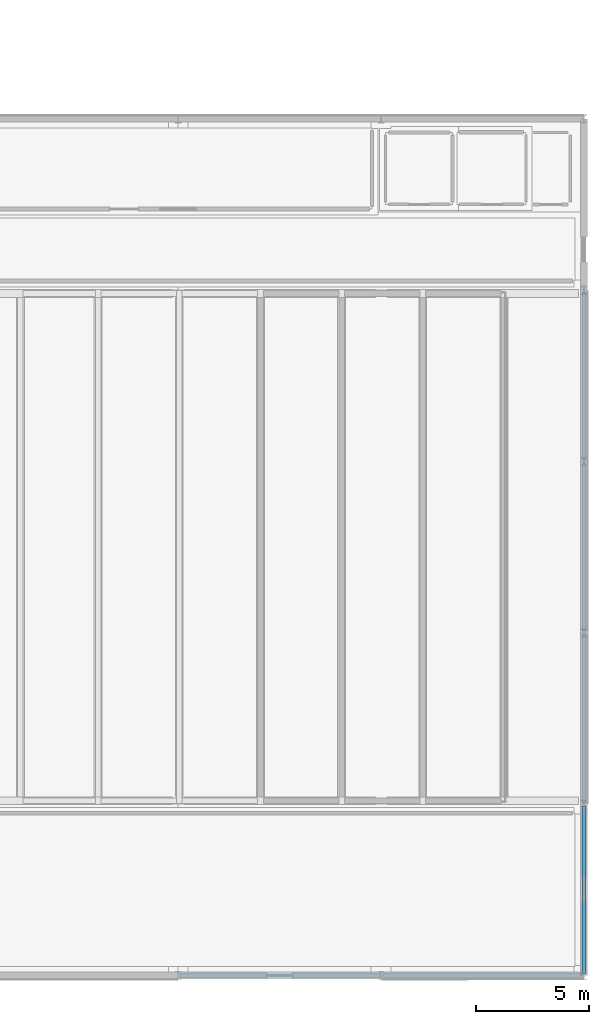
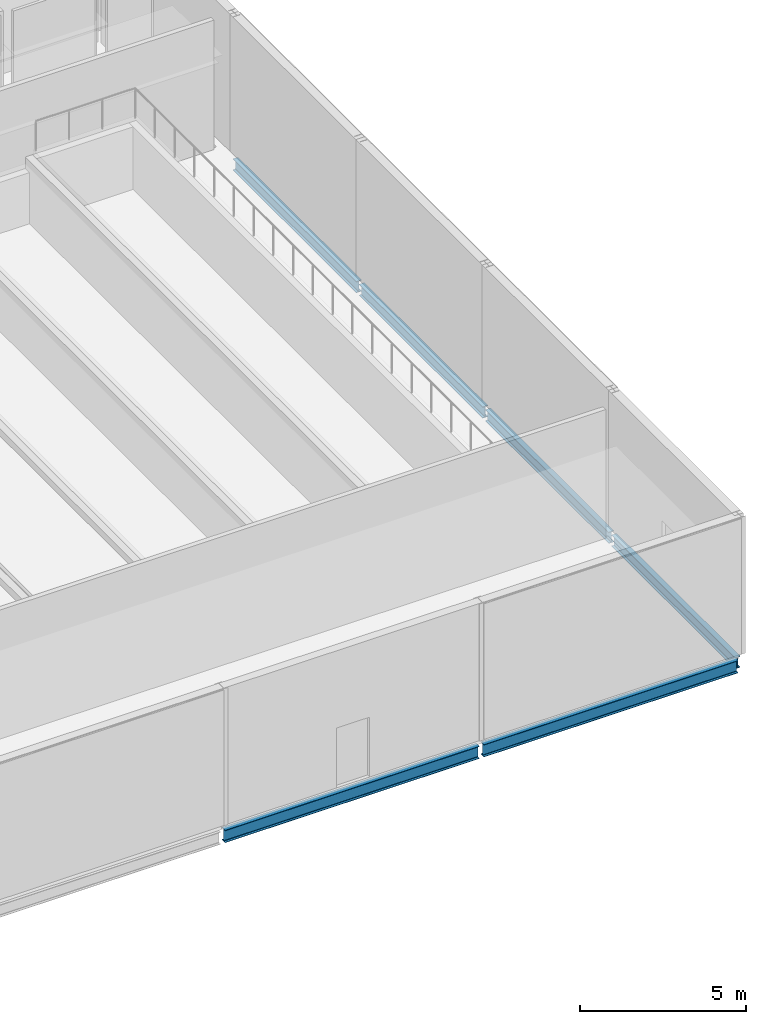
# One storey, part 104 of 161: 6 beams.
"""IFC4 building model written with IfcOpenShell, lengths in metres."""

from ifc_helpers import new_model, si_unit, direction, frame, origin, origin_2d, place, context, subcontext, project, spatial, i_section, extrude, material, material_profile, profile_set, type_object, element, save


model = new_model("IFC4")

# Units and contexts
model_context = context("Model", 3, precision=1e-05, world=origin(), true_north=direction((0.0, 1.0)))
body_context = subcontext(model_context, "Body", "Model", "MODEL_VIEW")
ifc_project = project(units=[si_unit("LENGTHUNIT", "METRE"), si_unit("AREAUNIT", "SQUARE_METRE"), si_unit("VOLUMEUNIT", "CUBIC_METRE"), si_unit("PLANEANGLEUNIT", "RADIAN"), si_unit("MASSUNIT", "GRAM", prefix="KILO")], contexts=[model_context])

# Site, building, storey
site_placement = place(None, origin())
site = spatial("IfcSite", under=ifc_project, at=site_placement, CompositionType="ELEMENT")
building_placement = place(site_placement, origin())
building = spatial("IfcBuilding", under=site, at=building_placement, Name="Caisbarro Railhouse Central Library", CompositionType="ELEMENT")
storey_placement = place(building_placement, origin())
storey = spatial("IfcBuildingStorey", under=building, at=storey_placement, Name="L00", CompositionType="ELEMENT", Elevation=0.0)

# Beams
ifc_material = material(Name="Steel ASTM A572 Grade 50", Category="steel")
ifc_material_profile_1 = material_profile(ifc_material, i_section(OverallWidth=0.180908203125, OverallDepth=0.4169921875, WebThickness=0.010986328125, FlangeThickness=0.018310546875, FilletRadius=0.01611328125, at=origin_2d()), Name="W410X85.0")
ifc_profile_set_1 = profile_set([ifc_material_profile_1], Name="Steel ASTM A572 Grade 50")
beam_type_1 = type_object("IfcBeamType", Name="BM-G09", PredefinedType="BEAM", material=ifc_profile_set_1)
beam_1_placement = place(storey_placement, frame((180.0, 0.080078125, -0.45849609375), z_axis=(0.0, 1.0, 0.0), x_axis=(-1.0, 0.0, 0.0)))
element("IfcBeam", 1, at=beam_1_placement, inside=storey, type_object=beam_type_1, Name="G09 beam L00 #475", PredefinedType="BEAM", context=body_context, shape_type="SweptSolid", body=[
    extrude(i_section(OverallWidth=0.180908203125, OverallDepth=0.4169921875, WebThickness=0.010986328125, FlangeThickness=0.018310546875, FilletRadius=0.01611328125, at=origin_2d()), origin(), (0.0, 0.0, 1.0), 7.43994140625),
])
beam_2_placement = place(storey_placement, frame((180.0, 7.679931640625, -0.45849609375), z_axis=(0.0, 1.0, 0.0), x_axis=(-1.0, 0.0, 0.0)))
element("IfcBeam", 2, at=beam_2_placement, inside=storey, type_object=beam_type_1, Name="G09 beam L00 #476", PredefinedType="BEAM", context=body_context, shape_type="SweptSolid", body=[
    extrude(i_section(OverallWidth=0.180908203125, OverallDepth=0.4169921875, WebThickness=0.010986328125, FlangeThickness=0.018310546875, FilletRadius=0.01611328125, at=origin_2d()), origin(), (0.0, 0.0, 1.0), 7.440185546875),
])
beam_3_placement = place(storey_placement, frame((180.0, 15.280029296875, -0.45849609375), z_axis=(0.0, 1.0, 0.0), x_axis=(-1.0, 0.0, 0.0)))
element("IfcBeam", 3, at=beam_3_placement, inside=storey, type_object=beam_type_1, Name="G09 beam L00 #477", PredefinedType="BEAM", context=body_context, shape_type="SweptSolid", body=[
    extrude(i_section(OverallWidth=0.180908203125, OverallDepth=0.4169921875, WebThickness=0.010986328125, FlangeThickness=0.018310546875, FilletRadius=0.01611328125, at=origin_2d()), origin(), (0.0, 0.0, 1.0), 7.43994140625),
])
beam_4_placement = place(storey_placement, frame((180.0, 22.8798828125, -0.45849609375), z_axis=(0.0, 1.0, 0.0), x_axis=(-1.0, 0.0, 0.0)))
element("IfcBeam", 4, at=beam_4_placement, inside=storey, type_object=beam_type_1, Name="G09 beam L00 #478", PredefinedType="BEAM", context=body_context, shape_type="SweptSolid", body=[
    extrude(i_section(OverallWidth=0.180908203125, OverallDepth=0.4169921875, WebThickness=0.010986328125, FlangeThickness=0.018310546875, FilletRadius=0.01611328125, at=origin_2d()), origin(), (0.0, 0.0, 1.0), 7.440185546875),
])
ifc_material_profile_2 = material_profile(ifc_material, i_section(OverallWidth=0.18994140625, OverallDepth=0.45703125, WebThickness=0.009033203125, FlangeThickness=0.014404296875, FilletRadius=0.01806640625, at=origin_2d()), Name="W460X74.0")
ifc_profile_set_2 = profile_set([ifc_material_profile_2], Name="Steel ASTM A572 Grade 50")
beam_type_2 = type_object("IfcBeamType", Name="BM-SP01", PredefinedType="SPANDREL", material=ifc_profile_set_2)
for number, where, z_axis, x_axis, name in (
    (5, (162.080078125, 0.0, -0.478515625), (1.0, 0.0, 0.0), (0.0, 1.0, 0.0), "SP01 beam L00 #455"),
    (6, (171.080078125, 0.0, -0.478515625), (1.0, 0.0, 0.0), (0.0, 1.0, 0.0), "SP01 beam L00 #456"),
):
    element("IfcBeam", number, at=place(storey_placement, frame(where, z_axis=z_axis, x_axis=x_axis)), inside=storey, type_object=beam_type_2, Name=name, PredefinedType="SPANDREL", context=body_context, shape_type="SweptSolid", body=[
        extrude(i_section(OverallWidth=0.18994140625, OverallDepth=0.45703125, WebThickness=0.009033203125, FlangeThickness=0.014404296875, FilletRadius=0.01806640625, at=origin_2d()), origin(), (0.0, 0.0, 1.0), 8.83984375),
    ])

save(model, "model.ifc")
